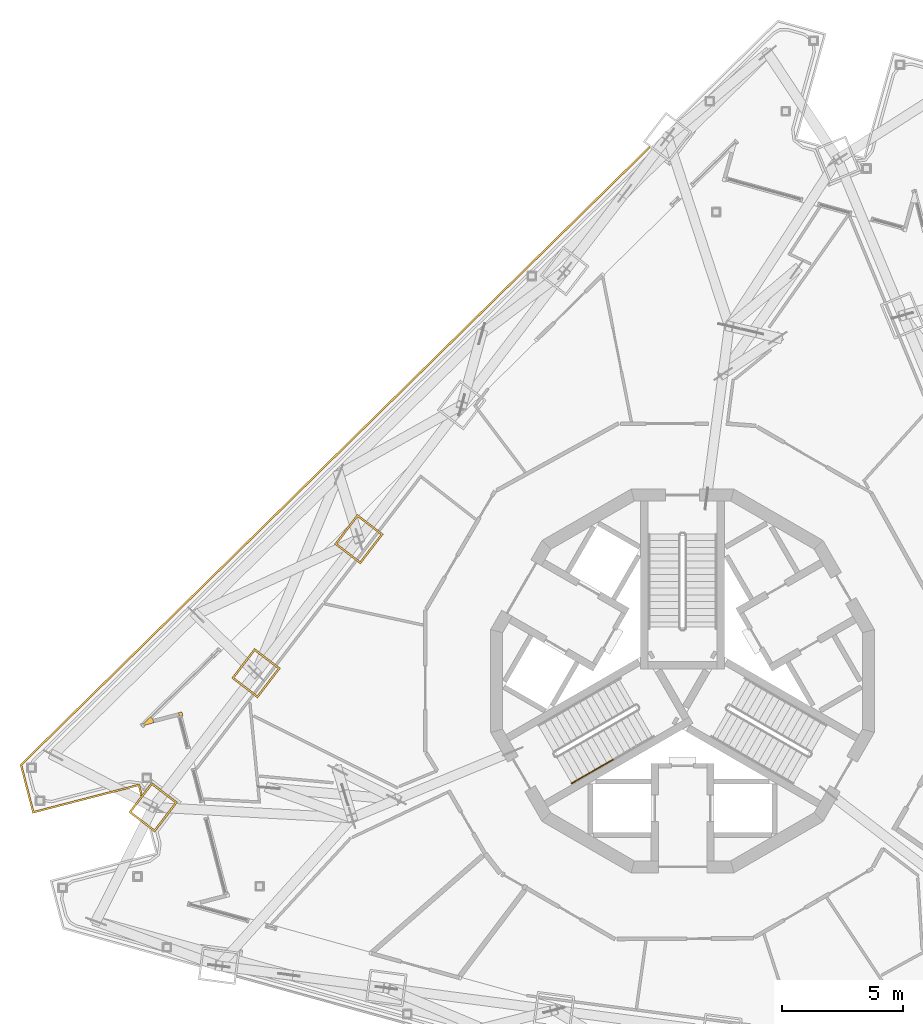
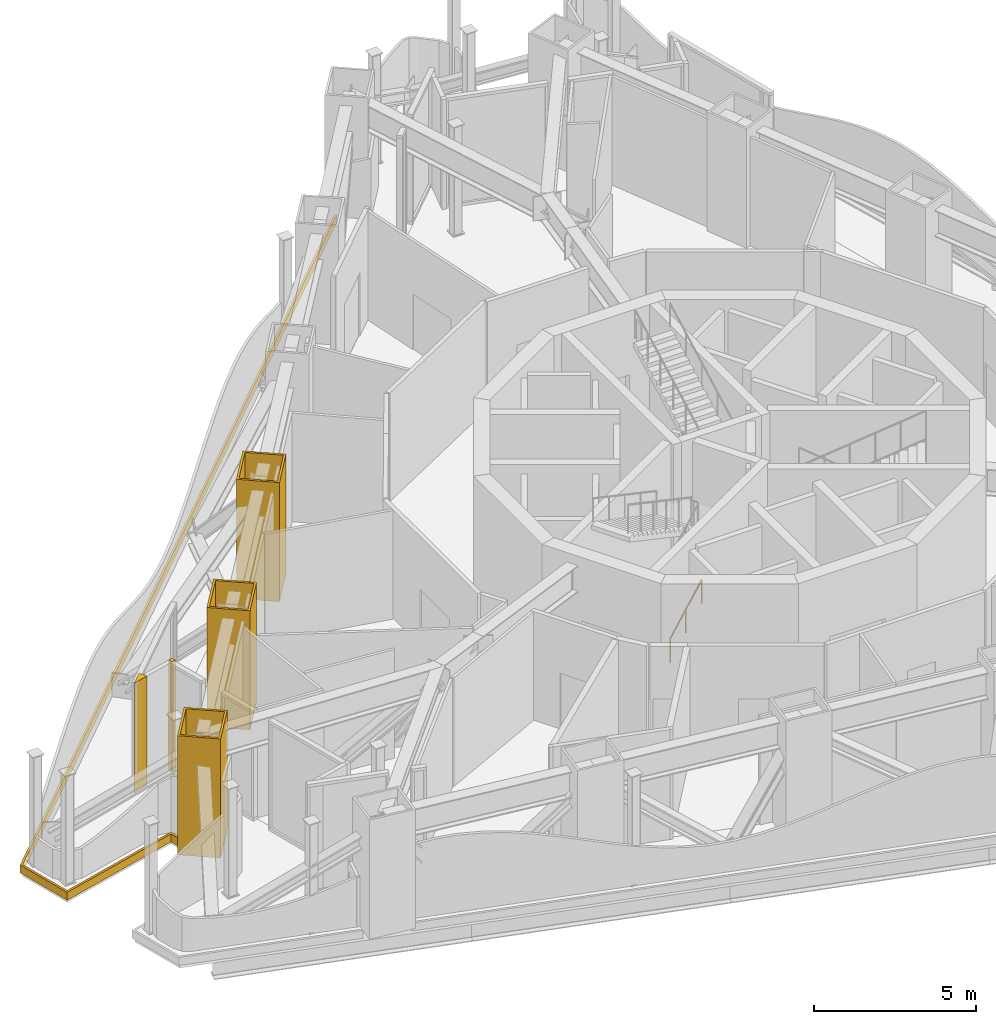
# One storey, part 17 of 22: 6 coverings, 1 railing.
"""IFC4 building model written with IfcOpenShell, lengths in metres."""

import ifcopenshell
import ifcopenshell.guid

model = None  # the IFC model being written
_history = None  # IfcOwnerHistory: only IFC2X3 demands one
_inside = {}  # id of a spatial element -> (the spatial element, [elements in it])
_under = {}  # id of a project, library or spatial element -> (it, [spatial elements below it])
_declared = {}  # id of a project -> (the project, [libraries it declares])
_typed = {}  # id of a type object -> (the type object, [elements of that type])
_made_of = {}  # id of a material, layer set ... -> (it, [elements and type objects made of it])


def new_model(schema):
    """Start an empty IFC model of exactly this schema.

    Asked for "IFC4X3", IfcOpenShell would pick the latest addendum, in which some entities
    have other attributes; the version numbers below select the first issue.
    IFC2X3 requires an IfcOwnerHistory on every rooted entity: one is made here for all.
    """
    global model, _history
    if schema == "IFC4X3":
        model = ifcopenshell.file(schema_version=(4, 3, 0, 0))
    else:
        model = ifcopenshell.file(schema=schema)
    _inside.clear()
    _under.clear()
    _declared.clear()
    _typed.clear()
    _made_of.clear()
    _history = None
    if model.schema == "IFC2X3":
        org = make("IfcOrganization", Name="unknown")
        user = make(
            "IfcPersonAndOrganization",
            ThePerson=make("IfcPerson", FamilyName="unknown"),
            TheOrganization=org,
        )
        app = make(
            "IfcApplication",
            ApplicationDeveloper=org,
            Version="unknown",
            ApplicationFullName="unknown",
            ApplicationIdentifier="unknown",
        )
        _history = make(
            "IfcOwnerHistory",
            OwningUser=user,
            OwningApplication=app,
            ChangeAction="ADDED",
            CreationDate=0,
        )
    return model


def make(cls, **values):
    """One entity of the class cls with the attributes given. An attribute that is None is left unset."""
    return model.create_entity(
        cls, **{name: value for name, value in values.items() if value is not None}
    )


def rooted(cls, **values):
    """An entity with a GlobalId (a new one), such as an element, a storey or a relation."""
    return make(cls, GlobalId=ifcopenshell.guid.new(), OwnerHistory=_history, **values)


def si_unit(unit_type, name, prefix=None):
    """IfcSIUnit, for example si_unit("LENGTHUNIT", "METRE", prefix="MILLI")."""
    return make("IfcSIUnit", UnitType=unit_type, Prefix=prefix, Name=name)


def assignment(units):
    """IfcUnitAssignment: the units of a project."""
    return None if units is None else make("IfcUnitAssignment", Units=units)


def point(xyz):
    """IfcCartesianPoint."""
    return None if xyz is None else make("IfcCartesianPoint", Coordinates=xyz)


def direction(xyz):
    """IfcDirection."""
    return None if xyz is None else make("IfcDirection", DirectionRatios=xyz)


def frame(location, z_axis=None, x_axis=None):
    """IfcAxis2Placement3D, a coordinate frame: its origin and axes. An axis left out is left unset."""
    return make(
        "IfcAxis2Placement3D",
        Location=point(location),
        Axis=direction(z_axis),
        RefDirection=direction(x_axis),
    )


def frame_2d(location, x_axis=None):
    """IfcAxis2Placement2D, a coordinate frame in the plane: its origin and x axis."""
    return make(
        "IfcAxis2Placement2D", Location=point(location), RefDirection=direction(x_axis)
    )


def origin():
    """The frame at (0, 0, 0) with its axes left unset."""
    return frame((0.0, 0.0, 0.0))


def origin_2d():
    """The frame at (0, 0) in the plane with its x axis left unset."""
    return frame_2d((0.0, 0.0))


def place(relative_to, where):
    """IfcLocalPlacement: puts the frame where relative to a parent placement (None: the world)."""
    return make(
        "IfcLocalPlacement", PlacementRelTo=relative_to, RelativePlacement=where
    )


def context(
    kind, dimensions, precision=None, world=None, true_north=None, identifier=None
):
    """IfcGeometricRepresentationContext, for example the 3D "Model" context."""
    return make(
        "IfcGeometricRepresentationContext",
        ContextIdentifier=identifier,
        ContextType=kind,
        CoordinateSpaceDimension=dimensions,
        Precision=precision,
        WorldCoordinateSystem=world,
        TrueNorth=true_north,
    )


def subcontext(parent, identifier, kind, view, scale=None):
    """IfcGeometricRepresentationSubContext, for example "Body" below "Model"."""
    return make(
        "IfcGeometricRepresentationSubContext",
        ContextIdentifier=identifier,
        ContextType=kind,
        ParentContext=parent,
        TargetScale=scale,
        TargetView=view,
    )


def project(units=None, contexts=None):
    """IfcProject with its units and contexts."""
    return rooted(
        "IfcProject",
        Name="project",
        RepresentationContexts=contexts,
        UnitsInContext=assignment(units),
    )


def spatial(cls, under=None, at=None, **own):
    """A site, building, storey or space (cls), placed at a placement, below another one or the project."""
    s = rooted(cls, ObjectPlacement=at, **own)
    if under is not None:
        _under.setdefault(under.id(), (under, []))[1].append(s)
    return s


def polyline(points):
    """IfcPolyline through the points."""
    return make("IfcPolyline", Points=[point(p) for p in points])


def profile(cls, at=None, kind="AREA", **sizes):
    """A parametric profile (cls). Its sizes go by their IFC names, for example OverallWidth=200.0."""
    return make(cls, ProfileType=kind, Position=at, **sizes)


def circle(**sizes):
    """IfcCircleProfileDef."""
    return profile("IfcCircleProfileDef", **sizes)


def outline(outer, holes=None, kind="AREA"):
    """IfcArbitraryClosedProfileDef: a profile drawn as a closed curve; with holes, ...WithVoids."""
    if holes is None:
        return make("IfcArbitraryClosedProfileDef", ProfileType=kind, OuterCurve=outer)
    return make(
        "IfcArbitraryProfileDefWithVoids",
        ProfileType=kind,
        OuterCurve=outer,
        InnerCurves=holes,
    )


def extrude(swept, where, along, depth):
    """IfcExtrudedAreaSolid: the profile swept, set in the frame where, extruded along a direction by depth."""
    return make(
        "IfcExtrudedAreaSolid",
        SweptArea=swept,
        Position=where,
        ExtrudedDirection=direction(along),
        Depth=depth,
    )


def shape(context_of_items, identifier, shape_type, items):
    """IfcShapeRepresentation: the items that make up one representation, for example the "Body"."""
    return make(
        "IfcShapeRepresentation",
        ContextOfItems=context_of_items,
        RepresentationIdentifier=identifier,
        RepresentationType=shape_type,
        Items=items,
    )


def material(Name=None, Category=None):
    """IfcMaterial."""
    return make("IfcMaterial", Name=Name, Category=Category)


def layer(
    of_material, thickness, ventilated=None, Name=None, Category=None, Priority=None
):
    """IfcMaterialLayer: one layer of a wall or slab, of a material (None: an air gap)."""
    return make(
        "IfcMaterialLayer",
        Material=of_material,
        LayerThickness=thickness,
        IsVentilated=ventilated,
        Name=Name,
        Category=Category,
        Priority=Priority,
    )


def layer_set(layers, Name=None):
    """IfcMaterialLayerSet."""
    return make("IfcMaterialLayerSet", MaterialLayers=layers, LayerSetName=Name)


def made_of(thing, what):
    """Note that an element or type object is made of a material, layer set ...; save() writes the relation."""
    if what is not None:
        _made_of.setdefault(what.id(), (what, []))[1].append(thing)
    return thing


def type_object(cls, material=None, **own):
    """A type object (cls), such as IfcWallType, which elements share."""
    return made_of(rooted(cls, **own), material)


def element(
    cls,
    number,
    at=None,
    inside=None,
    cuts=None,
    type_object=None,
    material=None,
    context=None,
    identifier="Body",
    shape_type=None,
    held_by="IfcProductDefinitionShape",
    body=None,
    shapes=None,
    **own,
):
    """One element of the class cls, such as IfcWall. Its Tag is "e" and its number.

    at: its placement. inside: the storey or other place that contains it. cuts: it is an
    opening in that element (IfcRelVoidsElement). A single representation is given by context,
    identifier, shape_type and body (its items); several are given by shapes. held_by: the class
    of the entity that holds the representations. save() writes the other relations.
    """
    e = rooted(cls, Tag="e%d" % number, ObjectPlacement=at, **own)
    if body is not None:
        shapes = [shape(context, identifier, shape_type, body)]
    if shapes is not None:
        e.Representation = make(held_by, Representations=shapes)
    if inside is not None:
        _inside.setdefault(inside.id(), (inside, []))[1].append(e)
    if cuts is not None:
        rooted(
            "IfcRelVoidsElement", RelatingBuildingElement=cuts, RelatedOpeningElement=e
        )
    if type_object is not None:
        _typed.setdefault(type_object.id(), (type_object, []))[1].append(e)
    return made_of(e, material)


def aggregate(whole, parts):
    """IfcRelAggregates: a whole, such as a stair, and the parts it consists of."""
    return rooted("IfcRelAggregates", RelatingObject=whole, RelatedObjects=parts)


def save(model, path):
    """Write the relations noted so far, then the file.

    IfcRelAggregates (storeys below a building ...), IfcRelContainedInSpatialStructure (elements
    in a storey), IfcRelDefinesByType, IfcRelAssociatesMaterial and IfcRelDeclares: one each for
    every whole, place, type object, material and project.
    """
    for whole, parts in _under.values():
        aggregate(whole, parts)
    for where, things in _inside.values():
        rooted(
            "IfcRelContainedInSpatialStructure",
            RelatedElements=things,
            RelatingStructure=where,
        )
    for kind, things in _typed.values():
        rooted("IfcRelDefinesByType", RelatedObjects=things, RelatingType=kind)
    for what, things in _made_of.values():
        rooted("IfcRelAssociatesMaterial", RelatedObjects=things, RelatingMaterial=what)
    for by, libraries in _declared.values():
        rooted("IfcRelDeclares", RelatingContext=by, RelatedDefinitions=libraries)
    model.write(path)


model = new_model("IFC4")

# Units and contexts
model_context = context("Model", 3, precision=1e-05, world=origin(), true_north=direction((0.0, 1.0)))
body_context = subcontext(model_context, "Body", "Model", "MODEL_VIEW")
ifc_project = project(units=[si_unit("LENGTHUNIT", "METRE"), si_unit("AREAUNIT", "SQUARE_METRE"), si_unit("VOLUMEUNIT", "CUBIC_METRE"), si_unit("PLANEANGLEUNIT", "RADIAN"), si_unit("MASSUNIT", "GRAM", prefix="KILO")], contexts=[model_context])

# Site, building, storey
site_placement = place(None, origin())
site = spatial("IfcSite", under=ifc_project, at=site_placement, CompositionType="ELEMENT")
building_placement = place(site_placement, origin())
building = spatial("IfcBuilding", under=site, at=building_placement, Name="Trine Commons Tower", CompositionType="ELEMENT")
storey_placement = place(building_placement, frame((0.0, 0.0, 267.300048828125)))
storey = spatial("IfcBuildingStorey", under=building, at=storey_placement, Name="L70", CompositionType="ELEMENT", Elevation=267.300048828125)

# Coverings
ifc_material_1 = material(Name="Aluminium-framed insulated wall panel", Category="aluminium")
ifc_layer_1 = layer(ifc_material_1, 0.14990234375)
ifc_layer_set_1 = layer_set([ifc_layer_1], Name="Aluminium-framed insulated wall panel")
covering_type_1 = type_object("IfcCoveringType", Name="Glazing corner post, aluminium", PredefinedType="CLADDING", material=ifc_layer_set_1)
covering_1_placement = place(storey_placement, origin())
element("IfcCovering", 1, at=covering_1_placement, inside=storey, type_object=covering_type_1, Name="Glazing corner post 7-01", PredefinedType="CLADDING", context=body_context, shape_type="SweptSolid", body=[
    extrude(outline(polyline([(58.186279296875, 60.773193359375), (58.14892578125, 60.91845703125), (58.043701171875, 61.025390625), (57.644287109375, 60.63330078125), (58.186279296875, 60.773193359375)])), origin(), (0.0, 0.0, 1.0), 4.14990234375),
])
covering_2_placement = place(storey_placement, origin())
element("IfcCovering", 2, at=covering_2_placement, inside=storey, type_object=covering_type_1, Name="Glazing corner post 7-12", PredefinedType="CLADDING", context=body_context, shape_type="SweptSolid", body=[
    extrude(outline(polyline([(59.199951171875, 61.1904296875), (59.237548828125, 61.045166015625), (59.3828125, 61.082763671875), (59.34521484375, 61.227783203125), (59.199951171875, 61.1904296875)])), origin(), (0.0, 0.0, 1.0), 4.14990234375),
])
ifc_material_2 = material(Name="Limestone, honed", Category="masonry")
ifc_layer_2 = layer(ifc_material_2, 0.074951171875)
ifc_layer_set_2 = layer_set([ifc_layer_2], Name="Limestone, honed")
covering_type_2 = type_object("IfcCoveringType", Name="Limestone column cladding 75", PredefinedType="CLADDING", material=ifc_layer_set_2)
covering_3_placement = place(storey_placement, origin())
element("IfcCovering", 3, at=covering_3_placement, inside=storey, type_object=covering_type_2, Name="Limestone pier cladding 8-07", PredefinedType="CLADDING", context=body_context, shape_type="SweptSolid", body=[
    extrude(outline(polyline([(59.163818359375, 57.49267578125), (58.093017578125, 58.314453125), (57.1494140625, 57.084716796875), (58.22021484375, 56.262939453125), (59.163818359375, 57.49267578125)]), holes=[polyline([(59.05859375, 57.478759765625), (58.106689453125, 58.209228515625), (57.25439453125, 57.0986328125), (58.20654296875, 56.3681640625), (59.05859375, 57.478759765625)])]), origin(), (0.0, 0.0, 1.0), 4.5),
])
covering_4_placement = place(storey_placement, origin())
element("IfcCovering", 4, at=covering_4_placement, inside=storey, type_object=covering_type_2, Name="Limestone pier cladding 8-08", PredefinedType="CLADDING", context=body_context, shape_type="SweptSolid", body=[
    extrude(outline(polyline([(63.40869140625, 63.0244140625), (62.337646484375, 63.84619140625), (61.39404296875, 62.61669921875), (62.465087890625, 61.794677734375), (63.40869140625, 63.0244140625)]), holes=[polyline([(63.303466796875, 63.010498046875), (62.3515625, 63.7412109375), (61.499267578125, 62.63037109375), (62.451416015625, 61.89990234375), (63.303466796875, 63.010498046875)])]), origin(), (0.0, 0.0, 1.0), 4.5),
])
covering_5_placement = place(storey_placement, origin())
element("IfcCovering", 5, at=covering_5_placement, inside=storey, type_object=covering_type_2, Name="Limestone pier cladding 8-09", PredefinedType="CLADDING", context=body_context, shape_type="SweptSolid", body=[
    extrude(outline(polyline([(67.6533203125, 68.556396484375), (66.58251953125, 69.378173828125), (65.638916015625, 68.1484375), (66.709716796875, 67.32666015625), (67.6533203125, 68.556396484375)]), holes=[polyline([(67.548095703125, 68.54248046875), (66.59619140625, 69.27294921875), (65.743896484375, 68.162353515625), (66.696044921875, 67.431884765625), (67.548095703125, 68.54248046875)])]), origin(), (0.0, 0.0, 1.0), 4.5),
])
ifc_layer_3 = layer(ifc_material_2, 0.074951171875)
ifc_layer_set_3 = layer_set([ifc_layer_3], Name="Limestone, honed")
covering_type_3 = type_object("IfcCoveringType", Name="Limestone spandrel panel 75", PredefinedType="CLADDING", material=ifc_layer_set_3)
covering_6_placement = place(storey_placement, frame((0.0, 0.0, -0.300048828125)))
element("IfcCovering", 6, at=covering_6_placement, inside=storey, type_object=covering_type_3, Name="Limestone spandrel panel 7-06", PredefinedType="CLADDING", context=body_context, shape_type="SweptSolid", body=[
    extrude(outline(polyline([(57.5400390625, 58.163330078125), (57.650146484375, 57.737548828125), (57.7080078125, 57.81298828125), (57.593994140625, 58.254638671875), (53.2373046875, 57.1279296875), (52.745361328125, 59.029541015625), (78.676025390625, 84.511474609375), (78.615966796875, 84.5576171875), (52.662109375, 59.052734375), (53.183349609375, 57.03662109375), (57.5400390625, 58.163330078125)])), origin(), (0.0, 0.0, 1.0), 0.300048828125),
])

# Railing
ifc_material_3 = material(Name="Stainless steel handrail", Category="steel")
railing_type = type_object("IfcRailingType", Name="Stair handrail, steel 900", PredefinedType="HANDRAIL", material=ifc_material_3)
railing_placement = place(storey_placement, frame((75.43017578125, 58.27392578125, 0.14990234375)))
element("IfcRailing", 7, at=railing_placement, inside=storey, type_object=railing_type, Name="L70 ST2D stair handrail 1", PredefinedType="HANDRAIL", context=body_context, shape_type="SweptSolid", body=[
    extrude(circle(Radius=0.02099609375, at=origin_2d()), frame((0.0, 0.0, 0.87890625), z_axis=(0.763397845365, 0.440713210311, 0.472224095054), x_axis=(-0.499970440388, 0.866042469362, 0.0)), (0.0, 0.0, 1.0), 2.2236328125),
    extrude(circle(Radius=0.01513671875, at=origin_2d()), origin(), (0.0, 0.0, 1.0), 0.85791015625),
    extrude(circle(Radius=0.01513671875, at=origin_2d()), frame((0.8486328125, 0.489990234375, 0.52490234375)), (0.0, 0.0, 1.0), 0.85791015625),
    extrude(circle(Radius=0.01513671875, at=origin_2d()), frame((1.697509765625, 0.97998046875, 1.050048828125)), (0.0, 0.0, 1.0), 0.85791015625),
])

save(model, "model.ifc")
